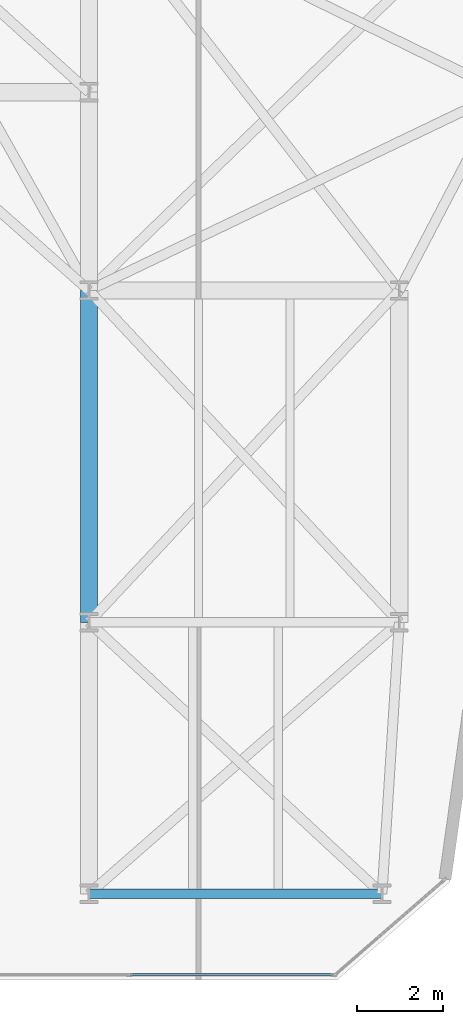
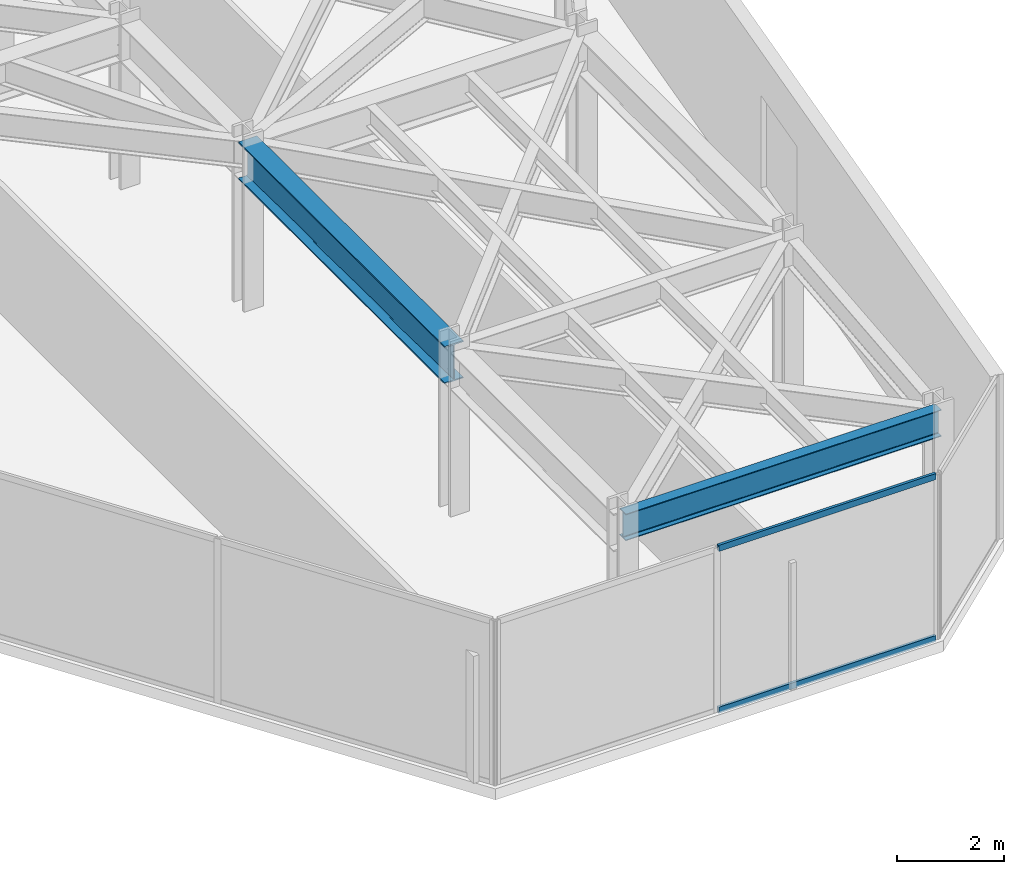
# One storey, part 18 of 26: 2 beams, 2 members, 1 element without a shape of its own.
"""IFC4 building model written with IfcOpenShell, lengths in metres."""

from ifc_helpers import new_model, si_unit, direction, frame, origin, origin_2d, place, context, subcontext, project, spatial, hollow_rectangle, i_section, extrude, material, layer, layer_set, material_profile, profile_set, type_object, element, aggregate, save


model = new_model("IFC4")

# Units and contexts
model_context = context("Model", 3, precision=1e-05, world=origin(), true_north=direction((0.0, 1.0)))
body_context = subcontext(model_context, "Body", "Model", "MODEL_VIEW")
ifc_project = project(units=[si_unit("LENGTHUNIT", "METRE"), si_unit("AREAUNIT", "SQUARE_METRE"), si_unit("VOLUMEUNIT", "CUBIC_METRE"), si_unit("PLANEANGLEUNIT", "RADIAN"), si_unit("MASSUNIT", "GRAM", prefix="KILO")], contexts=[model_context])

# Site, building, storey
site_placement = place(None, origin())
site = spatial("IfcSite", under=ifc_project, at=site_placement, CompositionType="ELEMENT")
building_placement = place(site_placement, origin())
building = spatial("IfcBuilding", under=site, at=building_placement, Name="Kravanh Interchange Tower", CompositionType="ELEMENT")
storey_placement = place(building_placement, frame((0.0, 0.0, 136.0)))
storey = spatial("IfcBuildingStorey", under=building, at=storey_placement, Name="L32", CompositionType="ELEMENT", Elevation=136.0)

# Curtain wall, members
ifc_material_1 = material(Name="Anodised Bronze Aluminium", Category="aluminium")
ifc_layer = layer(ifc_material_1, 0.179931640625)
ifc_layer_set = layer_set([ifc_layer], Name="Unitised Curtain Wall System CW-Z2 Mid Office")
curtain_wall_type = type_object("IfcCurtainWallType", Name="Unitised Curtain Wall System CW-Z2 Mid Office", PredefinedType="NOTDEFINED", material=ifc_layer_set)
curtain_wall_placement = place(storey_placement, origin())
curtain_wall = element("IfcCurtainWall", 1, at=curtain_wall_placement, inside=storey, type_object=curtain_wall_type, Name="L32 Unitised Curtain Wall CW-L32-03", PredefinedType="NOTDEFINED")
ifc_material_2 = material(Name="Anodised Bronze Aluminium", Category="aluminium")
ifc_material_profile_1 = material_profile(ifc_material_2, hollow_rectangle(XDim=0.06005859375, YDim=0.139892578125, WallThickness=0.00390625, at=origin_2d()), Name="ALU60X140X4")
ifc_profile_set_1 = profile_set([ifc_material_profile_1], Name="Anodised Bronze Aluminium")
member_type = type_object("IfcMemberType", Name="Curtain Wall Transom ALU60X140X4 Bronze", PredefinedType="USERDEFINED", material=ifc_profile_set_1)
member_1_placement = place(storey_placement, frame((61.650146484375, 6.320068359375, 0.030029296875), z_axis=(-1.0, 0.0, 0.0), x_axis=(0.0, -1.0, 0.0)))
member_1 = element("IfcMember", 2, at=member_1_placement, type_object=member_type, Name="CW-Z2 transom 1.1", ObjectType="TRANSOM", PredefinedType="USERDEFINED", context=body_context, shape_type="SweptSolid", body=[
    extrude(hollow_rectangle(XDim=0.06005859375, YDim=0.139892578125, WallThickness=0.00390625, at=origin_2d()), origin(), (0.0, 0.0, 1.0), 4.68212890625),
])
member_2_placement = place(storey_placement, frame((61.650146484375, 6.320068359375, 3.719970703125), z_axis=(-1.0, 0.0, 0.0), x_axis=(0.0, -1.0, 0.0)))
member_2 = element("IfcMember", 3, at=member_2_placement, type_object=member_type, Name="CW-Z2 transom 1.2", ObjectType="TRANSOM", PredefinedType="USERDEFINED", context=body_context, shape_type="SweptSolid", body=[
    extrude(hollow_rectangle(XDim=0.06005859375, YDim=0.139892578125, WallThickness=0.00390625, at=origin_2d()), origin(), (0.0, 0.0, 1.0), 4.68212890625),
])
aggregate(curtain_wall, [member_1, member_2])

# Beams
ifc_material_3 = material(Name="Structural Steel S355", Category="steel")
ifc_material_profile_2 = material_profile(ifc_material_3, i_section(OverallWidth=0.39990234375, OverallDepth=0.85595703125, WebThickness=0.018310546875, FlangeThickness=0.029296875, FilletRadius=0.02490234375, at=origin_2d()), Name="W33X201")
ifc_profile_set_2 = profile_set([ifc_material_profile_2], Name="Structural Steel S355")
beam_type_1 = type_object("IfcBeamType", Name="Floor Beam W33X201 Structural Steel S355", PredefinedType="BEAM", material=ifc_profile_set_2)
beam_1_placement = place(storey_placement, frame((56.0, 14.5, 3.322021484375), z_axis=(0.0, 1.0, 0.0), x_axis=(-1.0, 0.0, 0.0)))
element("IfcBeam", 4, at=beam_1_placement, inside=storey, type_object=beam_type_1, Name="L32 Primary Floor Girder 104", PredefinedType="BEAM", context=body_context, shape_type="SweptSolid", body=[
    extrude(i_section(OverallWidth=0.39990234375, OverallDepth=0.85595703125, WebThickness=0.018310546875, FlangeThickness=0.029296875, FilletRadius=0.02490234375, at=origin_2d()), origin(), (0.0, 0.0, 1.0), 7.699951171875),
])
ifc_material_4 = material(Name="Structural Steel S355", Category="steel")
ifc_material_profile_3 = material_profile(ifc_material_4, i_section(OverallWidth=0.22802734375, OverallDepth=0.60791015625, WebThickness=0.01123046875, FlangeThickness=0.017333984375, FilletRadius=0.02197265625, at=origin_2d()), Name="W24X76")
ifc_profile_set_3 = profile_set([ifc_material_profile_3], Name="Structural Steel S355")
beam_type_2 = type_object("IfcBeamType", Name="Floor Spandrel W24X76 Structural Steel S355", PredefinedType="SPANDREL", material=ifc_profile_set_3)
beam_2_placement = place(storey_placement, frame((56.0, 8.199951171875, 3.446044921875), z_axis=(1.0, 0.0, 0.0), x_axis=(0.0, 1.0, 0.0)))
element("IfcBeam", 5, at=beam_2_placement, inside=storey, type_object=beam_type_2, Name="L32 Perimeter Spandrel 96", PredefinedType="SPANDREL", context=body_context, shape_type="SweptSolid", body=[
    extrude(i_section(OverallWidth=0.22802734375, OverallDepth=0.60791015625, WebThickness=0.01123046875, FlangeThickness=0.017333984375, FilletRadius=0.02197265625, at=origin_2d()), origin(), (0.0, 0.0, 1.0), 6.800048828125),
])

save(model, "model.ifc")
